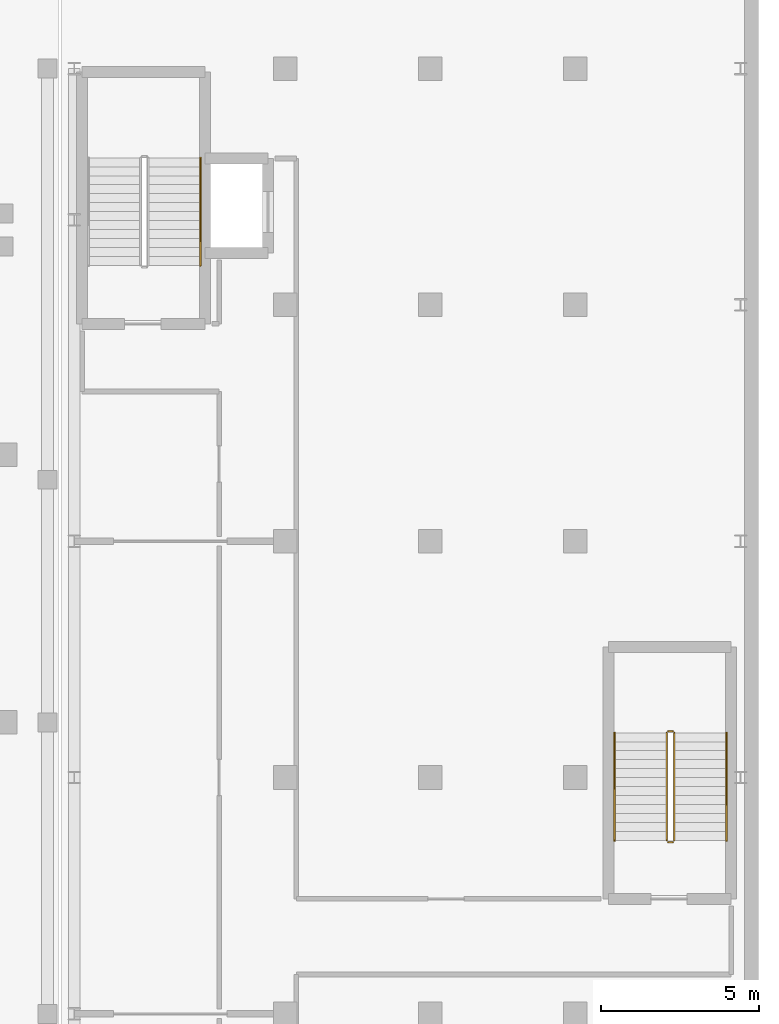
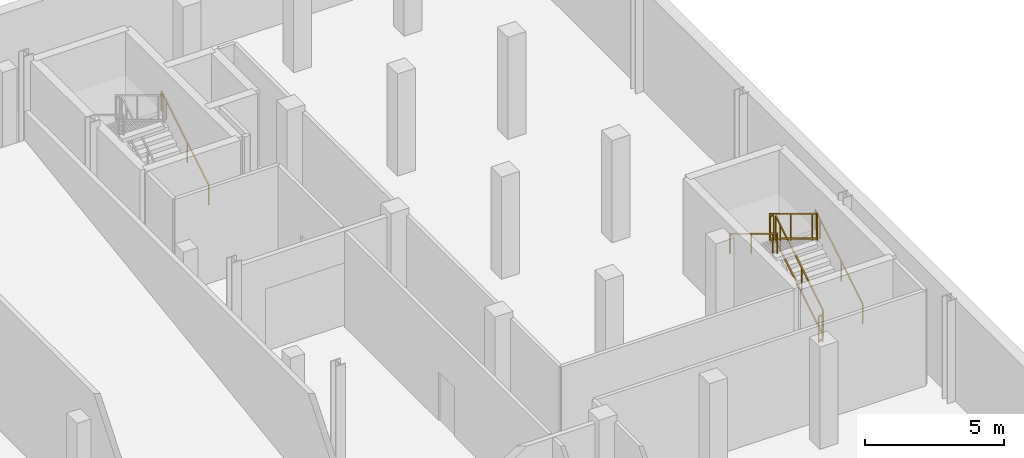
# One storey, part 14 of 14: 7 railings.
"""IFC4 building model written with IfcOpenShell, lengths in metres."""

from ifc_helpers import new_model, si_unit, direction, frame, origin, origin_2d, place, context, subcontext, project, spatial, rectangle, extrude, material, type_object, element, save


model = new_model("IFC4")

# Units and contexts
model_context = context("Model", 3, precision=1e-05, world=origin(), true_north=direction((0.0, 1.0)))
body_context = subcontext(model_context, "Body", "Model", "MODEL_VIEW")
ifc_project = project(units=[si_unit("LENGTHUNIT", "METRE"), si_unit("AREAUNIT", "SQUARE_METRE"), si_unit("VOLUMEUNIT", "CUBIC_METRE"), si_unit("PLANEANGLEUNIT", "RADIAN"), si_unit("MASSUNIT", "GRAM", prefix="KILO")], contexts=[model_context])

# Site, building, storey
site_placement = place(None, origin())
site = spatial("IfcSite", under=ifc_project, at=site_placement, CompositionType="ELEMENT")
building_placement = place(site_placement, origin())
building = spatial("IfcBuilding", under=site, at=building_placement, Name="Mersakhor Tower and Convention Hall", CompositionType="ELEMENT")
storey_placement = place(building_placement, frame((0.0, 0.0, -4.5)))
storey = spatial("IfcBuildingStorey", under=building, at=storey_placement, Name="B01", CompositionType="ELEMENT", Elevation=-4.5)

# Railings
ifc_material_1 = material(Name="Brushed stainless steel handrail", Category="steel")
railing_type_1 = type_object("IfcRailingType", Name="RL-HR-900", PredefinedType="HANDRAIL", material=ifc_material_1)
for number, where, name in (
    (1, (59.5, 42.0, 0.173095703125), "B01 CH-ST2 stair handrail 1"),
    (2, (76.199951171875, 23.75, 0.173095703125), "B01 CH-ST3 stair handrail 1"),
):
    element("IfcRailing", number, at=place(storey_placement, frame(where)), inside=storey, type_object=railing_type_1, Name=name, PredefinedType="HANDRAIL", context=body_context, shape_type="SweptSolid", body=[
        extrude(rectangle(XDim=0.048095703125, YDim=0.048095703125, at=origin_2d()), frame((0.0, 0.0, 0.8759765625), z_axis=(0.0, 0.854729506542, 0.519073665916), x_axis=(-1.0, 0.0, 0.0)), (0.0, 0.0, 1.0), 4.001220703125),
        extrude(rectangle(XDim=0.0419921875, YDim=0.0419921875, at=origin_2d()), origin(), (0.0, 0.0, 1.0), 0.851806640625),
        extrude(rectangle(XDim=0.0419921875, YDim=0.0419921875, at=origin_2d()), frame((0.0, 1.53857421875, 0.934326171875)), (0.0, 0.0, 1.0), 0.851806640625),
        extrude(rectangle(XDim=0.0419921875, YDim=0.0419921875, at=origin_2d()), frame((0.0, 3.076904296875, 1.86865234375)), (0.0, 0.0, 1.0), 0.851806640625),
        extrude(rectangle(XDim=0.0419921875, YDim=0.0419921875, at=origin_2d()), frame((0.0, 3.419921875, 2.076904296875)), (0.0, 0.0, 1.0), 0.851806640625),
    ])
railing_1_placement = place(storey_placement, frame((72.64990234375, 27.169921875, 2.423095703125)))
element("IfcRailing", 3, at=railing_1_placement, inside=storey, type_object=railing_type_1, Name="B01 CH-ST3 stair handrail 2", PredefinedType="HANDRAIL", context=body_context, shape_type="SweptSolid", body=[
    extrude(rectangle(XDim=0.048095703125, YDim=0.048095703125, at=origin_2d()), frame((0.0, 0.0, 0.8759765625), z_axis=(0.0, -0.854729506542, 0.519073665916), x_axis=(1.0, 0.0, 0.0)), (0.0, 0.0, 1.0), 4.001220703125),
    extrude(rectangle(XDim=0.0419921875, YDim=0.0419921875, at=origin_2d()), origin(), (0.0, 0.0, 1.0), 0.851806640625),
    extrude(rectangle(XDim=0.0419921875, YDim=0.0419921875, at=origin_2d()), frame((0.0, -1.53857421875, 0.934326171875)), (0.0, 0.0, 1.0), 0.851806640625),
    extrude(rectangle(XDim=0.0419921875, YDim=0.0419921875, at=origin_2d()), frame((0.0, -3.076904296875, 1.86865234375)), (0.0, 0.0, 1.0), 0.851806640625),
    extrude(rectangle(XDim=0.0419921875, YDim=0.0419921875, at=origin_2d()), frame((0.0, -3.419921875, 2.076904296875)), (0.0, 0.0, 1.0), 0.851806640625),
])
ifc_material_2 = material(Name="Painted steel stair balustrade S355", Category="steel")
railing_type_2 = type_object("IfcRailingType", Name="RL-STG-1200", PredefinedType="BALUSTRADE", material=ifc_material_2)
railing_2_placement = place(storey_placement, frame((74.550048828125, 23.75, 0.173095703125)))
element("IfcRailing", 4, at=railing_2_placement, inside=storey, type_object=railing_type_2, Name="B01 CH-ST3 stair guard 1", PredefinedType="BALUSTRADE", context=body_context, shape_type="SweptSolid", body=[
    extrude(rectangle(XDim=0.048095703125, YDim=0.048095703125, at=origin_2d()), frame((0.0, 0.0, 1.17578125), z_axis=(0.0, 0.854729506542, 0.519073665916), x_axis=(-1.0, 0.0, 0.0)), (0.0, 0.0, 1.0), 4.001220703125),
    extrude(rectangle(XDim=0.048095703125, YDim=0.048095703125, at=origin_2d()), frame((0.0, 0.0, 0.080078125), z_axis=(0.0, 0.854729506542, 0.519073665916), x_axis=(-1.0, 0.0, 0.0)), (0.0, 0.0, 1.0), 4.001220703125),
    extrude(rectangle(XDim=0.0419921875, YDim=0.0419921875, at=origin_2d()), origin(), (0.0, 0.0, 1.0), 1.15185546875),
    extrude(rectangle(XDim=0.0419921875, YDim=0.0419921875, at=origin_2d()), frame((0.0, 1.53857421875, 0.934326171875)), (0.0, 0.0, 1.0), 1.15185546875),
    extrude(rectangle(XDim=0.0419921875, YDim=0.0419921875, at=origin_2d()), frame((0.0, 3.076904296875, 1.86865234375)), (0.0, 0.0, 1.0), 1.15185546875),
    extrude(rectangle(XDim=0.0419921875, YDim=0.0419921875, at=origin_2d()), frame((0.0, 3.419921875, 2.076904296875)), (0.0, 0.0, 1.0), 1.15185546875),
])
railing_3_placement = place(storey_placement, frame((74.5, 27.219970703125, 2.25)))
element("IfcRailing", 5, at=railing_3_placement, inside=storey, type_object=railing_type_2, Name="B01 CH-ST3 stair guard 2", PredefinedType="BALUSTRADE", context=body_context, shape_type="SweptSolid", body=[
    extrude(rectangle(XDim=0.048095703125, YDim=0.048095703125, at=origin_2d()), frame((0.0, 0.0, 1.17578125), z_axis=(-1.0, 0.0, 0.0), x_axis=(0.0, -1.0, 0.0)), (0.0, 0.0, 1.0), 0.14990234375),
    extrude(rectangle(XDim=0.048095703125, YDim=0.048095703125, at=origin_2d()), frame((0.0, 0.0, 0.080078125), z_axis=(-1.0, 0.0, 0.0), x_axis=(0.0, -1.0, 0.0)), (0.0, 0.0, 1.0), 0.14990234375),
    extrude(rectangle(XDim=0.0419921875, YDim=0.0419921875, at=origin_2d()), origin(), (0.0, 0.0, 1.0), 1.15185546875),
    extrude(rectangle(XDim=0.0419921875, YDim=0.0419921875, at=origin_2d()), frame((-0.14990234375, 0.0, 0.0)), (0.0, 0.0, 1.0), 1.15185546875),
])
railing_4_placement = place(storey_placement, frame((74.300048828125, 27.169921875, 2.423095703125)))
element("IfcRailing", 6, at=railing_4_placement, inside=storey, type_object=railing_type_2, Name="B01 CH-ST3 stair guard 3", PredefinedType="BALUSTRADE", context=body_context, shape_type="SweptSolid", body=[
    extrude(rectangle(XDim=0.048095703125, YDim=0.048095703125, at=origin_2d()), frame((0.0, 0.0, 1.17578125), z_axis=(0.0, -0.854729506542, 0.519073665916), x_axis=(1.0, 0.0, 0.0)), (0.0, 0.0, 1.0), 4.001220703125),
    extrude(rectangle(XDim=0.048095703125, YDim=0.048095703125, at=origin_2d()), frame((0.0, 0.0, 0.080078125), z_axis=(0.0, -0.854729506542, 0.519073665916), x_axis=(1.0, 0.0, 0.0)), (0.0, 0.0, 1.0), 4.001220703125),
    extrude(rectangle(XDim=0.0419921875, YDim=0.0419921875, at=origin_2d()), origin(), (0.0, 0.0, 1.0), 1.15185546875),
    extrude(rectangle(XDim=0.0419921875, YDim=0.0419921875, at=origin_2d()), frame((0.0, -1.53857421875, 0.934326171875)), (0.0, 0.0, 1.0), 1.15185546875),
    extrude(rectangle(XDim=0.0419921875, YDim=0.0419921875, at=origin_2d()), frame((0.0, -3.076904296875, 1.86865234375)), (0.0, 0.0, 1.0), 1.15185546875),
    extrude(rectangle(XDim=0.0419921875, YDim=0.0419921875, at=origin_2d()), frame((0.0, -3.419921875, 2.076904296875)), (0.0, 0.0, 1.0), 1.15185546875),
])
railing_5_placement = place(storey_placement, frame((74.5, 23.699951171875, 0.0)))
element("IfcRailing", 7, at=railing_5_placement, inside=storey, type_object=railing_type_2, Name="B01 CH-ST3 stair guard 4", PredefinedType="BALUSTRADE", context=body_context, shape_type="SweptSolid", body=[
    extrude(rectangle(XDim=0.048095703125, YDim=0.048095703125, at=origin_2d()), frame((0.0, 0.0, 1.17578125), z_axis=(-1.0, 0.0, 0.0), x_axis=(0.0, -1.0, 0.0)), (0.0, 0.0, 1.0), 0.14990234375),
    extrude(rectangle(XDim=0.048095703125, YDim=0.048095703125, at=origin_2d()), frame((0.0, 0.0, 0.080078125), z_axis=(-1.0, 0.0, 0.0), x_axis=(0.0, -1.0, 0.0)), (0.0, 0.0, 1.0), 0.14990234375),
    extrude(rectangle(XDim=0.0419921875, YDim=0.0419921875, at=origin_2d()), origin(), (0.0, 0.0, 1.0), 1.15185546875),
    extrude(rectangle(XDim=0.0419921875, YDim=0.0419921875, at=origin_2d()), frame((-0.14990234375, 0.0, 0.0)), (0.0, 0.0, 1.0), 1.15185546875),
])

save(model, "model.ifc")
